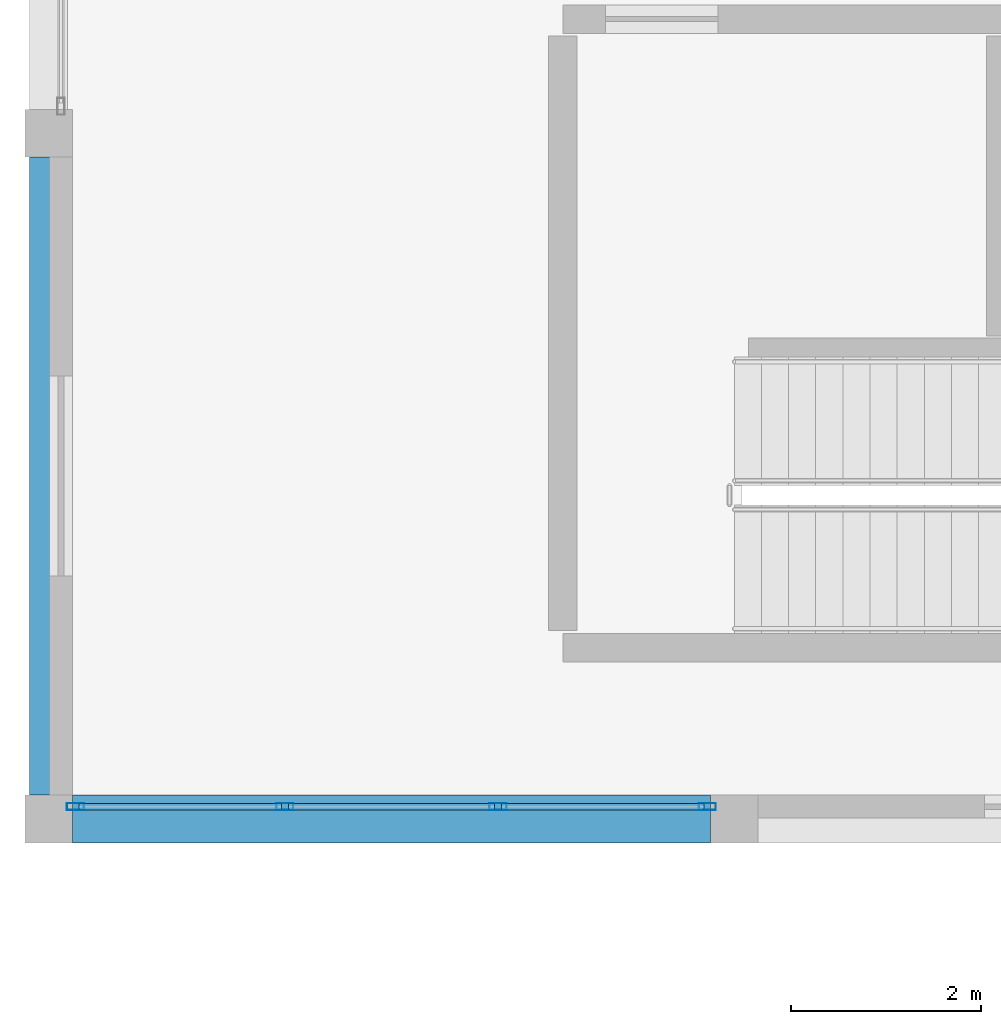
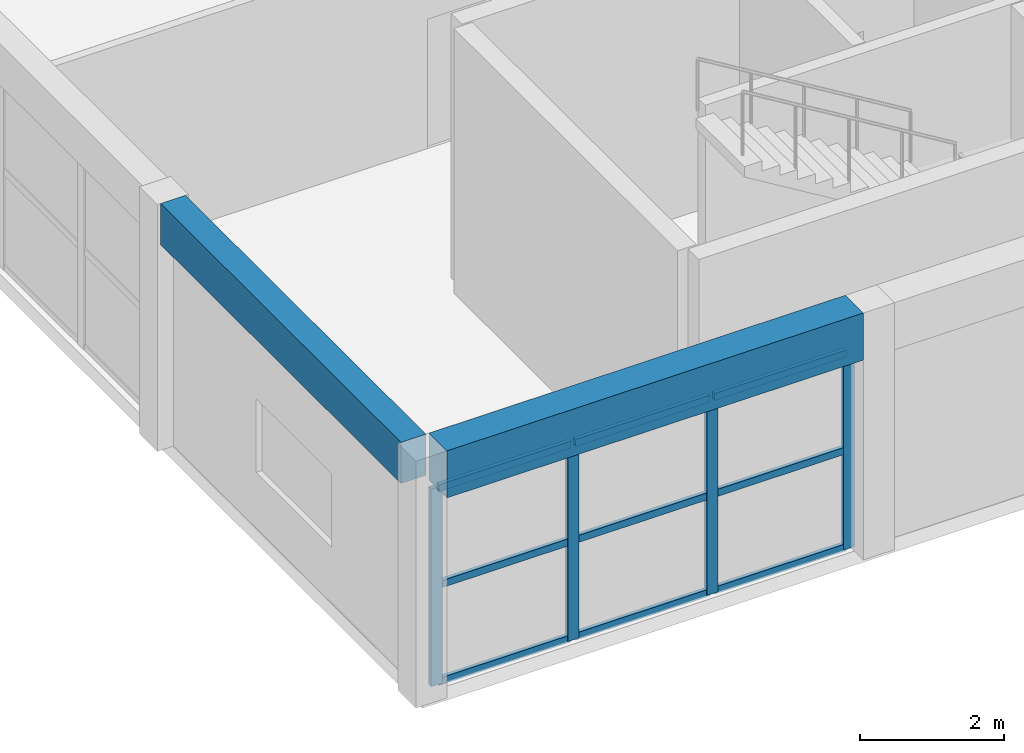
# One storey, part 8 of 153: 13 members, 2 beams, 1 element without a shape of its own.
"""IFC4 building model written with IfcOpenShell, lengths in metres."""

from ifc_helpers import new_model, si_unit, direction, frame, origin, origin_2d, place, context, subcontext, project, spatial, rectangle, hollow_rectangle, extrude, material, material_profile, profile_set, type_object, element, aggregate, save


model = new_model("IFC4")

# Units and contexts
model_context = context("Model", 3, precision=1e-05, world=origin(), true_north=direction((0.0, 1.0)))
body_context = subcontext(model_context, "Body", "Model", "MODEL_VIEW")
ifc_project = project(units=[si_unit("LENGTHUNIT", "METRE"), si_unit("AREAUNIT", "SQUARE_METRE"), si_unit("VOLUMEUNIT", "CUBIC_METRE"), si_unit("PLANEANGLEUNIT", "RADIAN"), si_unit("MASSUNIT", "GRAM", prefix="KILO")], contexts=[model_context])

# Site, building, storey
site_placement = place(None, origin())
site = spatial("IfcSite", under=ifc_project, at=site_placement, CompositionType="ELEMENT")
building_placement = place(site_placement, origin())
building = spatial("IfcBuilding", under=site, at=building_placement, Name="Bramvelor Terrace Health Centre", CompositionType="ELEMENT")
storey_placement = place(building_placement, frame((0.0, 0.0, 4.800048828125)))
storey = spatial("IfcBuildingStorey", under=building, at=storey_placement, Name="L02", CompositionType="ELEMENT", Elevation=4.800048828125)

# Beams
ifc_material_1 = material(Name="Concrete C40/50", Category="concrete")
ifc_material_profile_1 = material_profile(ifc_material_1, rectangle(XDim=0.5, YDim=0.800048828125, at=origin_2d()), Name="RC 500x800")
ifc_profile_set_1 = profile_set([ifc_material_profile_1], Name="Concrete C40/50")
beam_type_1 = type_object("IfcBeamType", Name="BM-RC-G800", PredefinedType="BEAM", material=ifc_profile_set_1)
beam_1_placement = place(storey_placement, frame((0.25, 28.800048828125, 3.800048828125), z_axis=(1.0, 0.0, 0.0), x_axis=(0.0, 1.0, 0.0)))
element("IfcBeam", 1, at=beam_1_placement, inside=storey, type_object=beam_type_1, Name="L02 Floor Girder", PredefinedType="BEAM", context=body_context, shape_type="SweptSolid", body=[
    extrude(rectangle(XDim=0.5, YDim=0.800048828125, at=origin_2d()), origin(), (0.0, 0.0, 1.0), 6.699951171875),
])
ifc_material_2 = material(Name="Concrete C40/50", Category="concrete")
ifc_material_profile_2 = material_profile(ifc_material_2, rectangle(XDim=0.39990234375, YDim=0.699951171875, at=origin_2d()), Name="RC 400x700")
ifc_profile_set_2 = profile_set([ifc_material_profile_2], Name="Concrete C40/50")
beam_type_2 = type_object("IfcBeamType", Name="BM-RC-SP700-EXT", PredefinedType="SPANDREL", material=ifc_profile_set_2)
beam_2_placement = place(storey_placement, frame((0.0, 29.050048828125, 3.849853515625), z_axis=(0.0, 1.0, 0.0), x_axis=(-1.0, 0.0, 0.0)))
element("IfcBeam", 2, at=beam_2_placement, inside=storey, type_object=beam_type_2, Name="L02 Floor Girder", PredefinedType="SPANDREL", context=body_context, shape_type="SweptSolid", body=[
    extrude(rectangle(XDim=0.39990234375, YDim=0.699951171875, at=origin_2d()), origin(), (0.0, 0.0, 1.0), 6.699951171875),
])

# Curtain wall, members
ifc_material_3 = material(Name="Anodized aluminium and double low-E glass", Category="aluminium")
curtain_wall_type = type_object("IfcCurtainWallType", Name="CW-SYS-16", PredefinedType="NOTDEFINED", material=ifc_material_3)
curtain_wall_placement = place(storey_placement, origin())
curtain_wall = element("IfcCurtainWall", 3, at=curtain_wall_placement, inside=storey, type_object=curtain_wall_type, Name="L02 Unitized Curtain Wall 125", PredefinedType="NOTDEFINED")
ifc_material_4 = material(Name="Anodized aluminium 6063-T6", Category="aluminium")
ifc_material_profile_3 = material_profile(ifc_material_4, hollow_rectangle(XDim=0.074951171875, YDim=0.179931640625, WallThickness=0.00341796875, at=origin_2d()), Name="ALU-MUL 75x180x3.5")
ifc_profile_set_3 = profile_set([ifc_material_profile_3], Name="Anodized aluminium 6063-T6")
member_type_1 = type_object("IfcMemberType", Name="CW-MUL-65x180", PredefinedType="MULLION", material=ifc_profile_set_3)
member_1_placement = place(storey_placement, frame((6.91748046875, 28.929931640625, 0.0), z_axis=(0.0, 0.0, 1.0), x_axis=(0.0, -1.0, 0.0)))
member_1 = element("IfcMember", 4, at=member_1_placement, type_object=member_type_1, Name="CW-16 mullion 1", PredefinedType="MULLION", context=body_context, shape_type="SweptSolid", body=[
    extrude(hollow_rectangle(XDim=0.074951171875, YDim=0.179931640625, WallThickness=0.00341796875, at=origin_2d()), origin(), (0.0, 0.0, 1.0), 3.35986328125),
])
member_2_placement = place(storey_placement, frame((4.71826171875, 28.929931640625, 0.0), z_axis=(0.0, 0.0, 1.0), x_axis=(0.0, -1.0, 0.0)))
member_2 = element("IfcMember", 5, at=member_2_placement, type_object=member_type_1, Name="CW-16 mullion 2", PredefinedType="MULLION", context=body_context, shape_type="SweptSolid", body=[
    extrude(hollow_rectangle(XDim=0.074951171875, YDim=0.179931640625, WallThickness=0.00341796875, at=origin_2d()), origin(), (0.0, 0.0, 1.0), 3.35986328125),
])
member_3_placement = place(storey_placement, frame((2.481689453125, 28.929931640625, 0.0), z_axis=(0.0, 0.0, 1.0), x_axis=(0.0, -1.0, 0.0)))
member_3 = element("IfcMember", 6, at=member_3_placement, type_object=member_type_1, Name="CW-16 mullion 3", PredefinedType="MULLION", context=body_context, shape_type="SweptSolid", body=[
    extrude(hollow_rectangle(XDim=0.074951171875, YDim=0.179931640625, WallThickness=0.00341796875, at=origin_2d()), origin(), (0.0, 0.0, 1.0), 3.35986328125),
])
member_4_placement = place(storey_placement, frame((0.282470703125, 28.929931640625, 0.0), z_axis=(0.0, 0.0, 1.0), x_axis=(0.0, -1.0, 0.0)))
member_4 = element("IfcMember", 7, at=member_4_placement, type_object=member_type_1, Name="CW-16 mullion 4", PredefinedType="MULLION", context=body_context, shape_type="SweptSolid", body=[
    extrude(hollow_rectangle(XDim=0.074951171875, YDim=0.179931640625, WallThickness=0.00341796875, at=origin_2d()), origin(), (0.0, 0.0, 1.0), 3.35986328125),
])
ifc_material_5 = material(Name="Anodized aluminium 6063-T6", Category="aluminium")
ifc_material_profile_4 = material_profile(ifc_material_5, hollow_rectangle(XDim=0.06494140625, YDim=0.1201171875, WallThickness=0.0029296875, at=origin_2d()), Name="ALU-TRN 65x120x3.0")
ifc_profile_set_4 = profile_set([ifc_material_profile_4], Name="Anodized aluminium 6063-T6")
member_type_2 = type_object("IfcMemberType", Name="CW-TRN-65x150", PredefinedType="USERDEFINED", material=ifc_profile_set_4)
member_5_placement = place(storey_placement, frame((6.8798828125, 28.929931640625, 0.032470703125), z_axis=(-1.0, 0.0, 0.0), x_axis=(0.0, -1.0, 0.0)))
member_5 = element("IfcMember", 8, at=member_5_placement, type_object=member_type_2, Name="CW-16 transom 1.1", ObjectType="TRANSOM", PredefinedType="USERDEFINED", context=body_context, shape_type="SweptSolid", body=[
    extrude(hollow_rectangle(XDim=0.06494140625, YDim=0.1201171875, WallThickness=0.0029296875, at=origin_2d()), origin(), (0.0, 0.0, 1.0), 2.1240234375),
])
member_6_placement = place(storey_placement, frame((6.8798828125, 28.929931640625, 1.679931640625), z_axis=(-1.0, 0.0, 0.0), x_axis=(0.0, -1.0, 0.0)))
member_6 = element("IfcMember", 9, at=member_6_placement, type_object=member_type_2, Name="CW-16 transom 1.2", ObjectType="TRANSOM", PredefinedType="USERDEFINED", context=body_context, shape_type="SweptSolid", body=[
    extrude(hollow_rectangle(XDim=0.06494140625, YDim=0.1201171875, WallThickness=0.0029296875, at=origin_2d()), origin(), (0.0, 0.0, 1.0), 2.1240234375),
])
member_7_placement = place(storey_placement, frame((6.8798828125, 28.929931640625, 3.327392578125), z_axis=(-1.0, 0.0, 0.0), x_axis=(0.0, -1.0, 0.0)))
member_7 = element("IfcMember", 10, at=member_7_placement, type_object=member_type_2, Name="CW-16 transom 1.3", ObjectType="TRANSOM", PredefinedType="USERDEFINED", context=body_context, shape_type="SweptSolid", body=[
    extrude(hollow_rectangle(XDim=0.06494140625, YDim=0.1201171875, WallThickness=0.0029296875, at=origin_2d()), origin(), (0.0, 0.0, 1.0), 2.1240234375),
])
member_8_placement = place(storey_placement, frame((4.680908203125, 28.929931640625, 0.032470703125), z_axis=(-1.0, 0.0, 0.0), x_axis=(0.0, -1.0, 0.0)))
member_8 = element("IfcMember", 11, at=member_8_placement, type_object=member_type_2, Name="CW-16 transom 2.1", ObjectType="TRANSOM", PredefinedType="USERDEFINED", context=body_context, shape_type="SweptSolid", body=[
    extrude(hollow_rectangle(XDim=0.06494140625, YDim=0.1201171875, WallThickness=0.0029296875, at=origin_2d()), origin(), (0.0, 0.0, 1.0), 2.16162109375),
])
member_9_placement = place(storey_placement, frame((4.680908203125, 28.929931640625, 1.679931640625), z_axis=(-1.0, 0.0, 0.0), x_axis=(0.0, -1.0, 0.0)))
member_9 = element("IfcMember", 12, at=member_9_placement, type_object=member_type_2, Name="CW-16 transom 2.2", ObjectType="TRANSOM", PredefinedType="USERDEFINED", context=body_context, shape_type="SweptSolid", body=[
    extrude(hollow_rectangle(XDim=0.06494140625, YDim=0.1201171875, WallThickness=0.0029296875, at=origin_2d()), origin(), (0.0, 0.0, 1.0), 2.16162109375),
])
member_10_placement = place(storey_placement, frame((4.680908203125, 28.929931640625, 3.327392578125), z_axis=(-1.0, 0.0, 0.0), x_axis=(0.0, -1.0, 0.0)))
member_10 = element("IfcMember", 13, at=member_10_placement, type_object=member_type_2, Name="CW-16 transom 2.3", ObjectType="TRANSOM", PredefinedType="USERDEFINED", context=body_context, shape_type="SweptSolid", body=[
    extrude(hollow_rectangle(XDim=0.06494140625, YDim=0.1201171875, WallThickness=0.0029296875, at=origin_2d()), origin(), (0.0, 0.0, 1.0), 2.16162109375),
])
member_11_placement = place(storey_placement, frame((2.444091796875, 28.929931640625, 0.032470703125), z_axis=(-1.0, 0.0, 0.0), x_axis=(0.0, -1.0, 0.0)))
member_11 = element("IfcMember", 14, at=member_11_placement, type_object=member_type_2, Name="CW-16 transom 3.1", ObjectType="TRANSOM", PredefinedType="USERDEFINED", context=body_context, shape_type="SweptSolid", body=[
    extrude(hollow_rectangle(XDim=0.06494140625, YDim=0.1201171875, WallThickness=0.0029296875, at=origin_2d()), origin(), (0.0, 0.0, 1.0), 2.1240234375),
])
member_12_placement = place(storey_placement, frame((2.444091796875, 28.929931640625, 1.679931640625), z_axis=(-1.0, 0.0, 0.0), x_axis=(0.0, -1.0, 0.0)))
member_12 = element("IfcMember", 15, at=member_12_placement, type_object=member_type_2, Name="CW-16 transom 3.2", ObjectType="TRANSOM", PredefinedType="USERDEFINED", context=body_context, shape_type="SweptSolid", body=[
    extrude(hollow_rectangle(XDim=0.06494140625, YDim=0.1201171875, WallThickness=0.0029296875, at=origin_2d()), origin(), (0.0, 0.0, 1.0), 2.1240234375),
])
member_13_placement = place(storey_placement, frame((2.444091796875, 28.929931640625, 3.327392578125), z_axis=(-1.0, 0.0, 0.0), x_axis=(0.0, -1.0, 0.0)))
member_13 = element("IfcMember", 16, at=member_13_placement, type_object=member_type_2, Name="CW-16 transom 3.3", ObjectType="TRANSOM", PredefinedType="USERDEFINED", context=body_context, shape_type="SweptSolid", body=[
    extrude(hollow_rectangle(XDim=0.06494140625, YDim=0.1201171875, WallThickness=0.0029296875, at=origin_2d()), origin(), (0.0, 0.0, 1.0), 2.1240234375),
])
aggregate(curtain_wall, [member_1, member_2, member_3, member_4, member_5, member_6, member_7, member_8, member_9, member_10, member_11, member_12, member_13])

save(model, "model.ifc")
